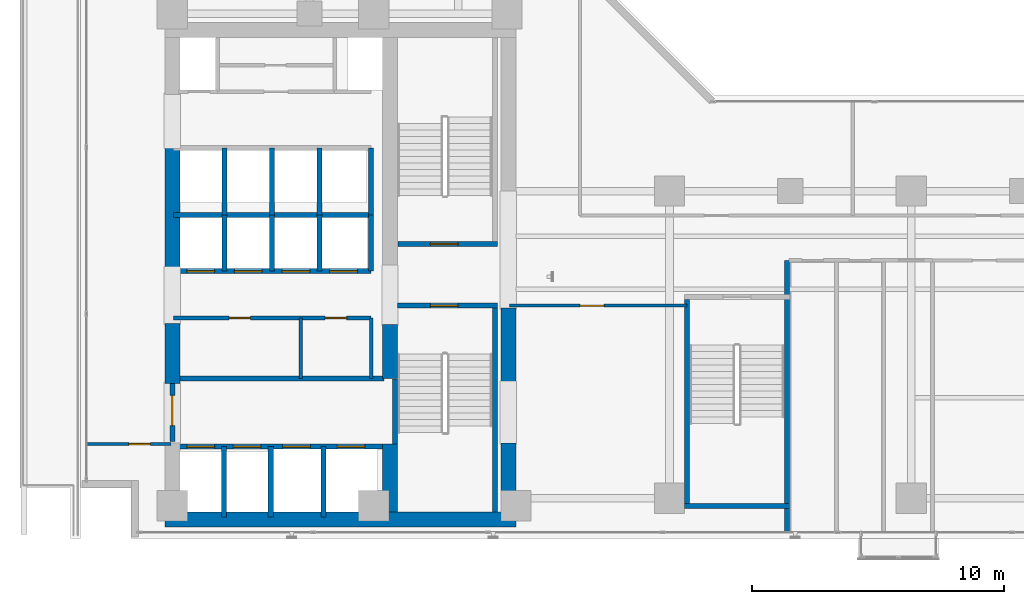
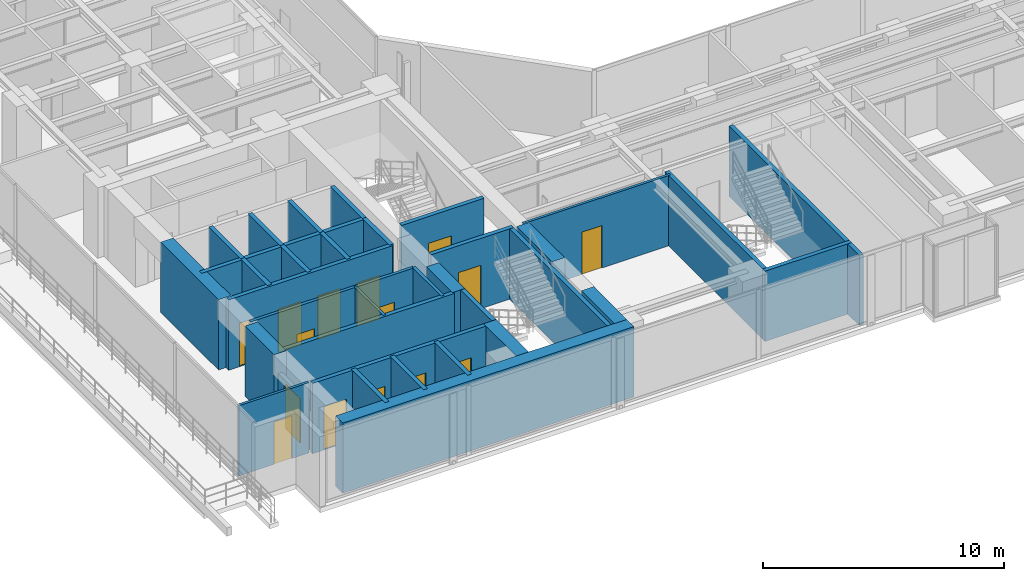
# One storey, part 20 of 28: 35 walls, 15 doors, 15 openings.
"""IFC4 building model written with IfcOpenShell, lengths in metres."""

from ifc_helpers import new_model, si_unit, direction, frame, frame_2d, origin, place, context, subcontext, project, spatial, rectangle, extrude, material, layer, layer_set, type_object, element, fill, save


model = new_model("IFC4")

# Units and contexts
model_context = context("Model", 3, precision=1e-05, world=origin(), true_north=direction((0.0, 1.0)))
body_context = subcontext(model_context, "Body", "Model", "MODEL_VIEW")
ifc_project = project(units=[si_unit("LENGTHUNIT", "METRE"), si_unit("AREAUNIT", "SQUARE_METRE"), si_unit("VOLUMEUNIT", "CUBIC_METRE"), si_unit("PLANEANGLEUNIT", "RADIAN"), si_unit("MASSUNIT", "GRAM", prefix="KILO")], contexts=[model_context])

# Site, building, storey
site_placement = place(None, origin())
site = spatial("IfcSite", under=ifc_project, at=site_placement, CompositionType="ELEMENT")
building_placement = place(site_placement, origin())
building = spatial("IfcBuilding", under=site, at=building_placement, Name="Kolvaren Waterfront Exchange", CompositionType="ELEMENT")
storey_placement = place(building_placement, frame((0.0, 0.0, 146.199951171875)))
storey = spatial("IfcBuildingStorey", under=building, at=storey_placement, Name="L37", CompositionType="ELEMENT", Elevation=146.199951171875)

# Wall, opening, door
ifc_material_1 = material(Name="Precast concrete C40/50", Category="concrete")
ifc_layer_1 = layer(ifc_material_1, 0.199951171875, Name="Precast concrete C40/50")
ifc_layer_set_1 = layer_set([ifc_layer_1], Name="Precast concrete C40/50")
wall_type_1 = type_object("IfcWallType", Name="ARC-FIRE-200", PredefinedType="PARTITIONING", material=ifc_layer_set_1)
wall_1_placement = place(storey_placement, frame((16.39990234375, 12.85009765625, 0.0), z_axis=(0.0, 0.0, 1.0), x_axis=(1.0, 0.0, 0.0)))
wall_1 = element("IfcWall", 1, at=wall_1_placement, inside=storey, type_object=wall_type_1, Name="L37 interior wall PW-L37-ST1-THROAT-S", PredefinedType="PARTITIONING", context=body_context, shape_type="SweptSolid", body=[
    extrude(rectangle(XDim=3.960205078125, YDim=0.199951171875, at=frame_2d((1.97998046875, 0.0))), origin(), (0.0, 0.0, 1.0), 3.56005859375),
])
opening_1_placement = place(wall_1_placement, frame((1.3037109375, 0.0, 0.0)))
opening_1 = element("IfcOpeningElement", 2, at=opening_1_placement, cuts=wall_1, Name="Opening FD2", PredefinedType="OPENING", context=body_context, shape_type="SweptSolid", body=[
    extrude(rectangle(XDim=1.10009765625, YDim=2.199951171875, at=frame_2d((0.550048828125, 1.10009765625))), frame((0.0, 0.10986328125, 0.0), z_axis=(0.0, -1.0, 0.0), x_axis=(1.0, 0.0, 0.0)), (0.0, 0.0, 1.0), 0.219970703125),
])
ifc_material_2 = material(Name="Pressed steel smoke-seal fire door", Category="steel")
door_type_1 = type_object("IfcDoorType", Name="ARC-FD-1100", OperationType="NOTDEFINED", PredefinedType="DOOR", material=ifc_material_2)
door_1_placement = place(opening_1_placement, frame((1.10009765625, 0.0, 0.0), z_axis=(0.0, 0.0, 1.0), x_axis=(-1.0, 0.0, 0.0)))
door_1 = element("IfcDoor", 3, at=door_1_placement, inside=storey, type_object=door_type_1, Name="L37 door DR-L37-ST1-IN (FD2)", OperationType="SINGLE_SWING_LEFT", OverallHeight=2.199951171875, OverallWidth=1.10009765625, PredefinedType="DOOR", context=body_context, shape_type="SweptSolid", body=[
    extrude(rectangle(XDim=1.10009765625, YDim=2.199951171875, at=frame_2d((0.550048828125, 1.10009765625))), frame((0.0, 0.02490234375, 0.0), z_axis=(0.0, -1.0, 0.0), x_axis=(1.0, 0.0, 0.0)), (0.0, 0.0, 1.0), 0.050048828125),
])
fill(opening_1, door_1)

wall_2_placement = place(storey_placement, frame((16.409912109375, 15.300048828125, 0.0), z_axis=(0.0, 0.0, 1.0), x_axis=(1.0, 0.0, 0.0)))
wall_2 = element("IfcWall", 4, at=wall_2_placement, inside=storey, type_object=wall_type_1, Name="L37 interior wall PW-L37-ST2-THROAT-N", PredefinedType="PARTITIONING", context=body_context, shape_type="SweptSolid", body=[
    extrude(rectangle(XDim=3.9501953125, YDim=0.199951171875, at=frame_2d((1.97509765625, 0.0))), origin(), (0.0, 0.0, 1.0), 3.56005859375),
])
opening_2_placement = place(wall_2_placement, frame((1.293701171875, 0.0, 0.0)))
opening_2 = element("IfcOpeningElement", 5, at=opening_2_placement, cuts=wall_2, Name="Opening FD2", PredefinedType="OPENING", context=body_context, shape_type="SweptSolid", body=[
    extrude(rectangle(XDim=1.10009765625, YDim=2.199951171875, at=frame_2d((0.550048828125, 1.10009765625))), frame((0.0, 0.10986328125, 0.0), z_axis=(0.0, -1.0, 0.0), x_axis=(1.0, 0.0, 0.0)), (0.0, 0.0, 1.0), 0.219970703125),
])
door_2_placement = place(opening_2_placement, origin())
door_2 = element("IfcDoor", 6, at=door_2_placement, inside=storey, type_object=door_type_1, Name="L37 door DR-L37-ST2-IN (FD2)", OperationType="SINGLE_SWING_RIGHT", OverallHeight=2.199951171875, OverallWidth=1.10009765625, PredefinedType="DOOR", context=body_context, shape_type="SweptSolid", body=[
    extrude(rectangle(XDim=1.10009765625, YDim=2.199951171875, at=frame_2d((0.550048828125, 1.10009765625))), frame((0.0, 0.02490234375, 0.0), z_axis=(0.0, -1.0, 0.0), x_axis=(1.0, 0.0, 0.0)), (0.0, 0.0, 1.0), 0.050048828125),
])
fill(opening_2, door_2)

# Wall
wall_3_placement = place(storey_placement, frame((7.5, 9.949951171875, 0.0), z_axis=(0.0, 0.0, 1.0), x_axis=(1.0, 0.0, 0.0)))
element("IfcWall", 7, at=wall_3_placement, inside=storey, type_object=wall_type_1, Name="L37 interior wall PW-L37-FF-N", PredefinedType="PARTITIONING", context=body_context, shape_type="SweptSolid", body=[
    extrude(rectangle(XDim=8.35009765625, YDim=0.199951171875, at=frame_2d((4.175048828125, 0.0))), origin(), (0.0, 0.0, 1.0), 3.56005859375),
])

# Wall, opening, door
wall_4_placement = place(storey_placement, frame((7.449951171875, 7.449951171875, 0.0), z_axis=(0.0, 0.0, 1.0), x_axis=(0.0, 1.0, 0.0)))
wall_4 = element("IfcWall", 8, at=wall_4_placement, inside=storey, type_object=wall_type_1, Name="L37 interior wall PW-L37-FF-W-DOOR", PredefinedType="PARTITIONING", context=body_context, shape_type="SweptSolid", body=[
    extrude(rectangle(XDim=2.300048828125, YDim=0.199951171875, at=frame_2d((1.14990234375, 0.0))), origin(), (0.0, 0.0, 1.0), 2.5400390625),
])
opening_3_placement = place(wall_4_placement, frame((0.63330078125, 0.0, 0.0)))
opening_3 = element("IfcOpeningElement", 9, at=opening_3_placement, cuts=wall_4, Name="Opening FD3", PredefinedType="OPENING", context=body_context, shape_type="SweptSolid", body=[
    extrude(rectangle(XDim=1.199951171875, YDim=2.25, at=frame_2d((0.60009765625, 1.125))), frame((0.0, 0.10986328125, 0.0), z_axis=(0.0, -1.0, 0.0), x_axis=(1.0, 0.0, 0.0)), (0.0, 0.0, 1.0), 0.219970703125),
])
ifc_material_3 = material(Name="Pressed steel fire door", Category="steel")
door_type_2 = type_object("IfcDoorType", Name="ARC-FD-1200", OperationType="NOTDEFINED", PredefinedType="DOOR", material=ifc_material_3)
door_3_placement = place(opening_3_placement, frame((1.199951171875, 0.0, 0.0), z_axis=(0.0, 0.0, 1.0), x_axis=(-1.0, 0.0, 0.0)))
door_3 = element("IfcDoor", 10, at=door_3_placement, inside=storey, type_object=door_type_2, Name="L37 door DR-L37-FF-OUT (FD3)", OperationType="SINGLE_SWING_RIGHT", OverallHeight=2.25, OverallWidth=1.199951171875, PredefinedType="DOOR", context=body_context, shape_type="SweptSolid", body=[
    extrude(rectangle(XDim=1.199951171875, YDim=2.25, at=frame_2d((0.60009765625, 1.125))), frame((0.0, 0.02490234375, 0.0), z_axis=(0.0, -1.0, 0.0), x_axis=(1.0, 0.0, 0.0)), (0.0, 0.0, 1.0), 0.050048828125),
])
fill(opening_3, door_3)

# Wall
ifc_material_4 = material(Name="Acoustic gypsum steel stud", Category="steel")
ifc_layer_2 = layer(ifc_material_4, 0.125, Name="Acoustic gypsum steel stud")
ifc_layer_set_2 = layer_set([ifc_layer_2], Name="Acoustic gypsum steel stud")
wall_type_2 = type_object("IfcWallType", Name="ARC-PART-125", PredefinedType="PARTITIONING", material=ifc_layer_set_2)
wall_5_placement = place(storey_placement, frame((12.550048828125, 9.949951171875, 0.0), z_axis=(0.0, 0.0, 1.0), x_axis=(0.0, 1.0, 0.0)))
element("IfcWall", 11, at=wall_5_placement, inside=storey, type_object=wall_type_2, Name="L37 interior wall PW-L37-REC-PL-MID", PredefinedType="PARTITIONING", context=body_context, shape_type="SweptSolid", body=[
    extrude(rectangle(XDim=2.41015625, YDim=0.125, at=frame_2d((1.205078125, 0.0))), origin(), (0.0, 0.0, 1.0), 3.56005859375),
])

# Wall, opening, door
wall_6_placement = place(storey_placement, frame((4.0400390625, 7.35009765625, 0.0), z_axis=(0.0, 0.0, 1.0), x_axis=(1.0, 0.0, 0.0)))
wall_6 = element("IfcWall", 12, at=wall_6_placement, inside=storey, type_object=wall_type_2, Name="L37 interior wall PW-L37-SWC-N", PredefinedType="PARTITIONING", context=body_context, shape_type="SweptSolid", body=[
    extrude(rectangle(XDim=3.35986328125, YDim=0.125, at=frame_2d((1.679931640625, 0.0))), origin(), (0.0, 0.0, 1.0), 3.56005859375),
])
opening_4_placement = place(wall_6_placement, frame((1.686767578125, 0.0, 0.0)))
opening_4 = element("IfcOpeningElement", 13, at=opening_4_placement, cuts=wall_6, Name="Opening D01", PredefinedType="OPENING", context=body_context, shape_type="SweptSolid", body=[
    extrude(rectangle(XDim=0.85009765625, YDim=2.14990234375, at=frame_2d((0.425048828125, 1.074951171875))), frame((0.0, 0.072509765625, 0.0), z_axis=(0.0, -1.0, 0.0), x_axis=(1.0, 0.0, 0.0)), (0.0, 0.0, 1.0), 0.14501953125),
])
ifc_material_5 = material(Name="Oak veneer timber leaf", Category="wood")
door_type_3 = type_object("IfcDoorType", Name="ARC-DR-900", OperationType="NOTDEFINED", PredefinedType="DOOR", material=ifc_material_5)
door_4_placement = place(opening_4_placement, origin())
door_4 = element("IfcDoor", 14, at=door_4_placement, inside=storey, type_object=door_type_3, Name="L37 door DR-L37-SWC-D (D01)", OperationType="SINGLE_SWING_RIGHT", OverallHeight=2.14990234375, OverallWidth=0.85009765625, PredefinedType="DOOR", context=body_context, shape_type="SweptSolid", body=[
    extrude(rectangle(XDim=0.85009765625, YDim=2.14990234375, at=frame_2d((0.425048828125, 1.074951171875))), frame((0.0, 0.02490234375, 0.0), z_axis=(0.0, -1.0, 0.0), x_axis=(1.0, 0.0, 0.0)), (0.0, 0.0, 1.0), 0.050048828125),
])
fill(opening_4, door_4)

wall_7_placement = place(storey_placement, frame((20.85009765625, 12.85009765625, 0.0), z_axis=(0.0, 0.0, 1.0), x_axis=(1.0, 0.0, 0.0)))
wall_7 = element("IfcWall", 15, at=wall_7_placement, inside=storey, type_object=wall_type_2, Name="L37 interior wall PW-L37-SWST3-N", PredefinedType="PARTITIONING", context=body_context, shape_type="SweptSolid", body=[
    extrude(rectangle(XDim=7.0498046875, YDim=0.125, at=frame_2d((3.52490234375, 0.0))), origin(), (0.0, 0.0, 1.0), 3.56005859375),
])
opening_5_placement = place(wall_7_placement, frame((2.800048828125, 0.0, 0.0)))
opening_5 = element("IfcOpeningElement", 16, at=opening_5_placement, cuts=wall_7, Name="Opening D02", PredefinedType="OPENING", context=body_context, shape_type="SweptSolid", body=[
    extrude(rectangle(XDim=0.949951171875, YDim=2.14990234375, at=frame_2d((0.47509765625, 1.074951171875))), frame((0.0, 0.072509765625, 0.0), z_axis=(0.0, -1.0, 0.0), x_axis=(1.0, 0.0, 0.0)), (0.0, 0.0, 1.0), 0.14501953125),
])
ifc_material_6 = material(Name="Oak veneer acoustic timber", Category="wood")
door_type_4 = type_object("IfcDoorType", Name="ARC-DR-950", OperationType="NOTDEFINED", PredefinedType="DOOR", material=ifc_material_6)
door_5_placement = place(opening_5_placement, origin())
door_5 = element("IfcDoor", 17, at=door_5_placement, inside=storey, type_object=door_type_4, Name="L37 door DR-L37-SWST3-D (D02)", OperationType="SINGLE_SWING_LEFT", OverallHeight=2.14990234375, OverallWidth=0.949951171875, PredefinedType="DOOR", context=body_context, shape_type="SweptSolid", body=[
    extrude(rectangle(XDim=0.949951171875, YDim=2.14990234375, at=frame_2d((0.47509765625, 1.074951171875))), frame((0.0, 0.02490234375, 0.0), z_axis=(0.0, -1.0, 0.0), x_axis=(1.0, 0.0, 0.0)), (0.0, 0.0, 1.0), 0.050048828125),
])
fill(opening_5, door_5)

# Wall, openings, doors
ifc_material_7 = material(Name="Gypsum fireboard steel stud", Category="steel")
ifc_layer_3 = layer(ifc_material_7, 0.14990234375, Name="Gypsum fireboard steel stud")
ifc_layer_set_3 = layer_set([ifc_layer_3], Name="Gypsum fireboard steel stud")
wall_type_3 = type_object("IfcWallType", Name="ARC-PART-150", PredefinedType="PARTITIONING", material=ifc_layer_set_3)
wall_8_placement = place(storey_placement, frame((7.5, 12.360107421875, 0.0), z_axis=(0.0, 0.0, 1.0), x_axis=(1.0, 0.0, 0.0)))
wall_8 = element("IfcWall", 18, at=wall_8_placement, inside=storey, type_object=wall_type_3, Name="L37 interior wall PW-L37-REC-PL-N", PredefinedType="PARTITIONING", context=body_context, shape_type="SweptSolid", body=[
    extrude(rectangle(XDim=7.85009765625, YDim=0.14990234375, at=frame_2d((3.925048828125, 0.0))), origin(), (0.0, 0.0, 1.0), 3.56005859375),
])
opening_6_placement = place(wall_8_placement, frame((2.202392578125, 0.0, 0.0)))
opening_6 = element("IfcOpeningElement", 19, at=opening_6_placement, cuts=wall_8, Name="Opening D01", PredefinedType="OPENING", context=body_context, shape_type="SweptSolid", body=[
    extrude(rectangle(XDim=0.85009765625, YDim=2.14990234375, at=frame_2d((0.425048828125, 1.074951171875))), frame((0.0, 0.0849609375, 0.0), z_axis=(0.0, -1.0, 0.0), x_axis=(1.0, 0.0, 0.0)), (0.0, 0.0, 1.0), 0.169921875),
])
opening_7_placement = place(wall_8_placement, frame((6.02490234375, 0.0, 0.0)))
opening_7 = element("IfcOpeningElement", 20, at=opening_7_placement, cuts=wall_8, Name="Opening D01", PredefinedType="OPENING", context=body_context, shape_type="SweptSolid", body=[
    extrude(rectangle(XDim=0.85009765625, YDim=2.14990234375, at=frame_2d((0.425048828125, 1.074951171875))), frame((0.0, 0.0849609375, 0.0), z_axis=(0.0, -1.0, 0.0), x_axis=(1.0, 0.0, 0.0)), (0.0, 0.0, 1.0), 0.169921875),
])
door_6_placement = place(opening_6_placement, origin())
door_6 = element("IfcDoor", 21, at=door_6_placement, inside=storey, type_object=door_type_3, Name="L37 door DR-L37-REC-PL-D1 (D01)", OperationType="SINGLE_SWING_LEFT", OverallHeight=2.14990234375, OverallWidth=0.85009765625, PredefinedType="DOOR", context=body_context, shape_type="SweptSolid", body=[
    extrude(rectangle(XDim=0.85009765625, YDim=2.14990234375, at=frame_2d((0.425048828125, 1.074951171875))), frame((0.0, 0.02490234375, 0.0), z_axis=(0.0, -1.0, 0.0), x_axis=(1.0, 0.0, 0.0)), (0.0, 0.0, 1.0), 0.050048828125),
])
fill(opening_6, door_6)
door_7_placement = place(opening_7_placement, origin())
door_7 = element("IfcDoor", 22, at=door_7_placement, inside=storey, type_object=door_type_3, Name="L37 door DR-L37-REC-PL-D2 (D01)", OperationType="SINGLE_SWING_RIGHT", OverallHeight=2.14990234375, OverallWidth=0.85009765625, PredefinedType="DOOR", context=body_context, shape_type="SweptSolid", body=[
    extrude(rectangle(XDim=0.85009765625, YDim=2.14990234375, at=frame_2d((0.425048828125, 1.074951171875))), frame((0.0, 0.02490234375, 0.0), z_axis=(0.0, -1.0, 0.0), x_axis=(1.0, 0.0, 0.0)), (0.0, 0.0, 1.0), 0.050048828125),
])
fill(opening_7, door_7)

# Walls
wall_9_placement = place(storey_placement, frame((15.35009765625, 9.949951171875, 0.0), z_axis=(0.0, 0.0, 1.0), x_axis=(0.0, 1.0, 0.0)))
element("IfcWall", 23, at=wall_9_placement, inside=storey, type_object=wall_type_3, Name="L37 interior wall PW-L37-REC-PL-E", PredefinedType="PARTITIONING", context=body_context, shape_type="SweptSolid", body=[
    extrude(rectangle(XDim=2.41015625, YDim=0.14990234375, at=frame_2d((1.205078125, 0.0))), origin(), (0.0, 0.0, 1.0), 3.56005859375),
])
ifc_material_8 = material(Name="Concrete C40/50", Category="concrete")
ifc_layer_4 = layer(ifc_material_8, 0.199951171875, Name="Concrete C40/50")
ifc_layer_set_4 = layer_set([ifc_layer_4], Name="Concrete C40/50")
wall_type_4 = type_object("IfcWallType", Name="ARC-SHAFT-200", PredefinedType="PARTITIONING", material=ifc_layer_set_4)
wall_10_placement = place(storey_placement, frame((16.300048828125, 7.360107421875, 0.0), z_axis=(0.0, 0.0, 1.0), x_axis=(0.0, 1.0, 0.0)))
element("IfcWall", 24, at=wall_10_placement, inside=storey, type_object=wall_type_4, Name="L37 structural stairwell wall PW-L37-ST1-W", PredefinedType="SHEAR", context=body_context, shape_type="SweptSolid", body=[
    extrude(rectangle(XDim=2.579833984375, YDim=0.199951171875, at=frame_2d((1.2900390625, 0.0))), origin(), (0.0, 0.0, 1.0), 3.56005859375),
])
wall_11_placement = place(storey_placement, frame((20.260009765625, 4.659912109375, 0.0), z_axis=(0.0, 0.0, 1.0), x_axis=(0.0, 1.0, 0.0)))
element("IfcWall", 25, at=wall_11_placement, inside=storey, type_object=wall_type_4, Name="L37 structural stairwell wall PW-L37-ST1-E", PredefinedType="SHEAR", context=body_context, shape_type="SweptSolid", body=[
    extrude(rectangle(XDim=8.090087890625, YDim=0.199951171875, at=frame_2d((4.044921875, 0.0))), origin(), (0.0, 0.0, 1.0), 3.56005859375),
])
wall_12_placement = place(storey_placement, frame((27.89990234375, 5.0, 0.0), z_axis=(0.0, 0.0, 1.0), x_axis=(0.0, 1.0, 0.0)))
element("IfcWall", 26, at=wall_12_placement, inside=storey, type_object=wall_type_4, Name="L37 structural stairwell wall PW-L37-ST3-W", PredefinedType="SHEAR", context=body_context, shape_type="SweptSolid", body=[
    extrude(rectangle(XDim=8.10009765625, YDim=0.199951171875, at=frame_2d((4.050048828125, 0.0))), origin(), (0.0, 0.0, 1.0), 3.56005859375),
])
wall_13_placement = place(storey_placement, frame((31.860107421875, 3.840087890625, 0.0), z_axis=(0.0, 0.0, 1.0), x_axis=(0.0, 1.0, 0.0)))
element("IfcWall", 27, at=wall_13_placement, inside=storey, type_object=wall_type_4, Name="L37 structural stairwell wall PW-L37-ST3-E", PredefinedType="SHEAR", context=body_context, shape_type="SweptSolid", body=[
    extrude(rectangle(XDim=10.809814453125, YDim=0.199951171875, at=frame_2d((5.40478515625, 0.0))), origin(), (0.0, 0.0, 1.0), 3.56005859375),
])
wall_14_placement = place(storey_placement, frame((27.800048828125, 4.89990234375, 0.0), z_axis=(0.0, 0.0, 1.0), x_axis=(1.0, 0.0, 0.0)))
element("IfcWall", 28, at=wall_14_placement, inside=storey, type_object=wall_type_4, Name="L37 structural stairwell wall PW-L37-ST3-S", PredefinedType="SHEAR", context=body_context, shape_type="SweptSolid", body=[
    extrude(rectangle(XDim=4.159912109375, YDim=0.199951171875, at=frame_2d((2.080078125, 0.0))), origin(), (0.0, 0.0, 1.0), 3.56005859375),
])

# Wall, openings, doors
wall_15_placement = place(storey_placement, frame((7.5, 7.25, 0.0), z_axis=(0.0, 0.0, 1.0), x_axis=(1.0, 0.0, 0.0)))
wall_15 = element("IfcWall", 29, at=wall_15_placement, inside=storey, type_object=wall_type_4, Name="L37 interior wall PW-L37-FF-S", PredefinedType="PARTITIONING", context=body_context, shape_type="SweptSolid", body=[
    extrude(rectangle(XDim=8.35009765625, YDim=0.199951171875, at=frame_2d((4.175048828125, 0.0))), origin(), (0.0, 0.0, 1.0), 3.56005859375),
])
opening_8_placement = place(wall_15_placement, frame((0.530029296875, 0.0, 0.0)))
opening_8 = element("IfcOpeningElement", 30, at=opening_8_placement, cuts=wall_15, Name="Opening LD1", PredefinedType="OPENING", context=body_context, shape_type="SweptSolid", body=[
    extrude(rectangle(XDim=1.10009765625, YDim=2.199951171875, at=frame_2d((0.550048828125, 1.10009765625))), frame((0.0, 0.10986328125, 0.0), z_axis=(0.0, -1.0, 0.0), x_axis=(1.0, 0.0, 0.0)), (0.0, 0.0, 1.0), 0.219970703125),
])
opening_9_placement = place(wall_15_placement, frame((2.3701171875, 0.0, 0.0)))
opening_9 = element("IfcOpeningElement", 31, at=opening_9_placement, cuts=wall_15, Name="Opening LD1", PredefinedType="OPENING", context=body_context, shape_type="SweptSolid", body=[
    extrude(rectangle(XDim=1.10009765625, YDim=2.199951171875, at=frame_2d((0.550048828125, 1.10009765625))), frame((0.0, 0.10986328125, 0.0), z_axis=(0.0, -1.0, 0.0), x_axis=(1.0, 0.0, 0.0)), (0.0, 0.0, 1.0), 0.219970703125),
])
opening_10_placement = place(wall_15_placement, frame((4.330078125, 0.0, 0.0)))
opening_10 = element("IfcOpeningElement", 32, at=opening_10_placement, cuts=wall_15, Name="Opening LD1", PredefinedType="OPENING", context=body_context, shape_type="SweptSolid", body=[
    extrude(rectangle(XDim=1.10009765625, YDim=2.199951171875, at=frame_2d((0.550048828125, 1.10009765625))), frame((0.0, 0.10986328125, 0.0), z_axis=(0.0, -1.0, 0.0), x_axis=(1.0, 0.0, 0.0)), (0.0, 0.0, 1.0), 0.219970703125),
])
opening_11_placement = place(wall_15_placement, frame((6.5, 0.0, 0.0)))
opening_11 = element("IfcOpeningElement", 33, at=opening_11_placement, cuts=wall_15, Name="Opening LD1", PredefinedType="OPENING", context=body_context, shape_type="SweptSolid", body=[
    extrude(rectangle(XDim=1.10009765625, YDim=2.199951171875, at=frame_2d((0.550048828125, 1.10009765625))), frame((0.0, 0.10986328125, 0.0), z_axis=(0.0, -1.0, 0.0), x_axis=(1.0, 0.0, 0.0)), (0.0, 0.0, 1.0), 0.219970703125),
])
ifc_material_9 = material(Name="Stainless steel sliding landing door", Category="steel")
door_type_5 = type_object("IfcDoorType", Name="ARC-LD-FF", OperationType="SLIDING_TO_LEFT", PredefinedType="DOOR", material=ifc_material_9)
door_8_placement = place(opening_8_placement, origin())
door_8 = element("IfcDoor", 34, at=door_8_placement, inside=storey, type_object=door_type_5, Name="L37 door LD-L37-FFL1 (LD1)", OperationType="SLIDING_TO_LEFT", OverallHeight=2.199951171875, OverallWidth=1.10009765625, PredefinedType="DOOR", context=body_context, shape_type="SweptSolid", body=[
    extrude(rectangle(XDim=1.10009765625, YDim=2.199951171875, at=frame_2d((0.550048828125, 1.10009765625))), frame((0.0, 0.02490234375, 0.0), z_axis=(0.0, -1.0, 0.0), x_axis=(1.0, 0.0, 0.0)), (0.0, 0.0, 1.0), 0.050048828125),
])
fill(opening_8, door_8)
door_9_placement = place(opening_9_placement, origin())
door_9 = element("IfcDoor", 35, at=door_9_placement, inside=storey, type_object=door_type_5, Name="L37 door LD-L37-FFL2 (LD1)", OperationType="SLIDING_TO_LEFT", OverallHeight=2.199951171875, OverallWidth=1.10009765625, PredefinedType="DOOR", context=body_context, shape_type="SweptSolid", body=[
    extrude(rectangle(XDim=1.10009765625, YDim=2.199951171875, at=frame_2d((0.550048828125, 1.10009765625))), frame((0.0, 0.02490234375, 0.0), z_axis=(0.0, -1.0, 0.0), x_axis=(1.0, 0.0, 0.0)), (0.0, 0.0, 1.0), 0.050048828125),
])
fill(opening_9, door_9)
door_10_placement = place(opening_10_placement, origin())
door_10 = element("IfcDoor", 36, at=door_10_placement, inside=storey, type_object=door_type_5, Name="L37 door LD-L37-GL1 (LD1)", OperationType="SLIDING_TO_LEFT", OverallHeight=2.199951171875, OverallWidth=1.10009765625, PredefinedType="DOOR", context=body_context, shape_type="SweptSolid", body=[
    extrude(rectangle(XDim=1.10009765625, YDim=2.199951171875, at=frame_2d((0.550048828125, 1.10009765625))), frame((0.0, 0.02490234375, 0.0), z_axis=(0.0, -1.0, 0.0), x_axis=(1.0, 0.0, 0.0)), (0.0, 0.0, 1.0), 0.050048828125),
])
fill(opening_10, door_10)
door_11_placement = place(opening_11_placement, origin())
door_11 = element("IfcDoor", 37, at=door_11_placement, inside=storey, type_object=door_type_5, Name="L37 door LD-L37-GL2 (LD1)", OperationType="SLIDING_TO_LEFT", OverallHeight=2.199951171875, OverallWidth=1.10009765625, PredefinedType="DOOR", context=body_context, shape_type="SweptSolid", body=[
    extrude(rectangle(XDim=1.10009765625, YDim=2.199951171875, at=frame_2d((0.550048828125, 1.10009765625))), frame((0.0, 0.02490234375, 0.0), z_axis=(0.0, -1.0, 0.0), x_axis=(1.0, 0.0, 0.0)), (0.0, 0.0, 1.0), 0.050048828125),
])
fill(opening_11, door_11)

# Walls
for number, where, z_axis, x_axis, name in (
    (38, (9.5, 4.449951171875, 0.0), (0.0, 0.0, 1.0), (0.0, 1.0, 0.0), "L37 interior wall PW-L37-SH1-DIV-95"),
    (39, (11.360107421875, 4.449951171875, 0.0), (0.0, 0.0, 1.0), (0.0, 1.0, 0.0), "L37 interior wall PW-L37-SH1-DIV-113"),
    (40, (13.4599609375, 4.449951171875, 0.0), (0.0, 0.0, 1.0), (0.0, 1.0, 0.0), "L37 interior wall PW-L37-SH1-DIV-134"),
):
    element("IfcWall", number, at=place(storey_placement, frame(where, z_axis=z_axis, x_axis=x_axis)), inside=storey, type_object=wall_type_4, Name=name, PredefinedType="PARTITIONING", context=body_context, shape_type="SweptSolid", body=[
        extrude(rectangle(XDim=2.800048828125, YDim=0.199951171875, at=frame_2d((1.39990234375, 0.0))), origin(), (0.0, 0.0, 1.0), 3.56005859375),
    ])

# Wall, openings, doors
wall_16_placement = place(storey_placement, frame((7.5, 14.219970703125, 0.0), z_axis=(0.0, 0.0, 1.0), x_axis=(1.0, 0.0, 0.0)))
wall_16 = element("IfcWall", 41, at=wall_16_placement, inside=storey, type_object=wall_type_4, Name="L37 interior wall PW-L37-PM-S", PredefinedType="PARTITIONING", context=body_context, shape_type="SweptSolid", body=[
    extrude(rectangle(XDim=7.85009765625, YDim=0.199951171875, at=frame_2d((3.925048828125, 0.0))), origin(), (0.0, 0.0, 1.0), 3.56005859375),
])
opening_12_placement = place(wall_16_placement, frame((0.530029296875, 0.0, 0.0)))
opening_12 = element("IfcOpeningElement", 42, at=opening_12_placement, cuts=wall_16, Name="Opening LD2", PredefinedType="OPENING", context=body_context, shape_type="SweptSolid", body=[
    extrude(rectangle(XDim=1.10009765625, YDim=2.199951171875, at=frame_2d((0.550048828125, 1.10009765625))), frame((0.0, 0.10986328125, 0.0), z_axis=(0.0, -1.0, 0.0), x_axis=(1.0, 0.0, 0.0)), (0.0, 0.0, 1.0), 0.219970703125),
])
opening_13_placement = place(wall_16_placement, frame((2.419921875, 0.0, 0.0)))
opening_13 = element("IfcOpeningElement", 43, at=opening_13_placement, cuts=wall_16, Name="Opening LD2", PredefinedType="OPENING", context=body_context, shape_type="SweptSolid", body=[
    extrude(rectangle(XDim=1.10009765625, YDim=2.199951171875, at=frame_2d((0.550048828125, 1.10009765625))), frame((0.0, 0.10986328125, 0.0), z_axis=(0.0, -1.0, 0.0), x_axis=(1.0, 0.0, 0.0)), (0.0, 0.0, 1.0), 0.219970703125),
])
opening_14_placement = place(wall_16_placement, frame((4.31005859375, 0.0, 0.0)))
opening_14 = element("IfcOpeningElement", 44, at=opening_14_placement, cuts=wall_16, Name="Opening LD2", PredefinedType="OPENING", context=body_context, shape_type="SweptSolid", body=[
    extrude(rectangle(XDim=1.10009765625, YDim=2.199951171875, at=frame_2d((0.550048828125, 1.10009765625))), frame((0.0, 0.10986328125, 0.0), z_axis=(0.0, -1.0, 0.0), x_axis=(1.0, 0.0, 0.0)), (0.0, 0.0, 1.0), 0.219970703125),
])
opening_15_placement = place(wall_16_placement, frame((6.199951171875, 0.0, 0.0)))
opening_15 = element("IfcOpeningElement", 45, at=opening_15_placement, cuts=wall_16, Name="Opening LD2", PredefinedType="OPENING", context=body_context, shape_type="SweptSolid", body=[
    extrude(rectangle(XDim=1.10009765625, YDim=2.199951171875, at=frame_2d((0.550048828125, 1.10009765625))), frame((0.0, 0.10986328125, 0.0), z_axis=(0.0, -1.0, 0.0), x_axis=(1.0, 0.0, 0.0)), (0.0, 0.0, 1.0), 0.219970703125),
])
ifc_material_10 = material(Name="Brushed bronze sliding landing door", Category="aluminium")
door_type_6 = type_object("IfcDoorType", Name="ARC-LD-PAX", OperationType="SLIDING_TO_LEFT", PredefinedType="DOOR", material=ifc_material_10)
door_12_placement = place(opening_12_placement, frame((1.10009765625, 0.0, 0.0), z_axis=(0.0, 0.0, 1.0), x_axis=(-1.0, 0.0, 0.0)))
door_12 = element("IfcDoor", 46, at=door_12_placement, inside=storey, type_object=door_type_6, Name="L37 door LD-L37-PM1 (LD2)", OperationType="SLIDING_TO_LEFT", OverallHeight=2.199951171875, OverallWidth=1.10009765625, PredefinedType="DOOR", context=body_context, shape_type="SweptSolid", body=[
    extrude(rectangle(XDim=1.10009765625, YDim=2.199951171875, at=frame_2d((0.550048828125, 1.10009765625))), frame((0.0, 0.02490234375, 0.0), z_axis=(0.0, -1.0, 0.0), x_axis=(1.0, 0.0, 0.0)), (0.0, 0.0, 1.0), 0.050048828125),
])
fill(opening_12, door_12)
door_13_placement = place(opening_13_placement, frame((1.10009765625, 0.0, 0.0), z_axis=(0.0, 0.0, 1.0), x_axis=(-1.0, 0.0, 0.0)))
door_13 = element("IfcDoor", 47, at=door_13_placement, inside=storey, type_object=door_type_6, Name="L37 door LD-L37-PM2 (LD2)", OperationType="SLIDING_TO_LEFT", OverallHeight=2.199951171875, OverallWidth=1.10009765625, PredefinedType="DOOR", context=body_context, shape_type="SweptSolid", body=[
    extrude(rectangle(XDim=1.10009765625, YDim=2.199951171875, at=frame_2d((0.550048828125, 1.10009765625))), frame((0.0, 0.02490234375, 0.0), z_axis=(0.0, -1.0, 0.0), x_axis=(1.0, 0.0, 0.0)), (0.0, 0.0, 1.0), 0.050048828125),
])
fill(opening_13, door_13)
door_14_placement = place(opening_14_placement, frame((1.10009765625, 0.0, 0.0), z_axis=(0.0, 0.0, 1.0), x_axis=(-1.0, 0.0, 0.0)))
door_14 = element("IfcDoor", 48, at=door_14_placement, inside=storey, type_object=door_type_6, Name="L37 door LD-L37-PM3 (LD2)", OperationType="SLIDING_TO_LEFT", OverallHeight=2.199951171875, OverallWidth=1.10009765625, PredefinedType="DOOR", context=body_context, shape_type="SweptSolid", body=[
    extrude(rectangle(XDim=1.10009765625, YDim=2.199951171875, at=frame_2d((0.550048828125, 1.10009765625))), frame((0.0, 0.02490234375, 0.0), z_axis=(0.0, -1.0, 0.0), x_axis=(1.0, 0.0, 0.0)), (0.0, 0.0, 1.0), 0.050048828125),
])
fill(opening_14, door_14)
door_15_placement = place(opening_15_placement, frame((1.10009765625, 0.0, 0.0), z_axis=(0.0, 0.0, 1.0), x_axis=(-1.0, 0.0, 0.0)))
door_15 = element("IfcDoor", 49, at=door_15_placement, inside=storey, type_object=door_type_6, Name="L37 door LD-L37-PM4 (LD2)", OperationType="SLIDING_TO_LEFT", OverallHeight=2.199951171875, OverallWidth=1.10009765625, PredefinedType="DOOR", context=body_context, shape_type="SweptSolid", body=[
    extrude(rectangle(XDim=1.10009765625, YDim=2.199951171875, at=frame_2d((0.550048828125, 1.10009765625))), frame((0.0, 0.02490234375, 0.0), z_axis=(0.0, -1.0, 0.0), x_axis=(1.0, 0.0, 0.0)), (0.0, 0.0, 1.0), 0.050048828125),
])
fill(opening_15, door_15)

# Walls
wall_17_placement = place(storey_placement, frame((7.5, 16.449951171875, 0.0), z_axis=(0.0, 0.0, 1.0), x_axis=(1.0, 0.0, 0.0)))
element("IfcWall", 50, at=wall_17_placement, inside=storey, type_object=wall_type_4, Name="L37 interior wall PW-L37-PM-N", PredefinedType="PARTITIONING", context=body_context, shape_type="SweptSolid", body=[
    extrude(rectangle(XDim=7.85009765625, YDim=0.199951171875, at=frame_2d((3.925048828125, 0.0))), origin(), (0.0, 0.0, 1.0), 3.56005859375),
])
for number, where, z_axis, x_axis, name in (
    (51, (15.35009765625, 14.219970703125, 0.0), (0.0, 0.0, 1.0), (0.0, 1.0, 0.0), "L37 interior wall PW-L37-PM-E"),
    (52, (9.52001953125, 14.219970703125, 0.0), (0.0, 0.0, 1.0), (0.0, 1.0, 0.0), "L37 interior wall PW-L37-SH3-DIV-95"),
    (53, (11.409912109375, 14.219970703125, 0.0), (0.0, 0.0, 1.0), (0.0, 1.0, 0.0), "L37 interior wall PW-L37-SH3-DIV-114"),
    (54, (13.300048828125, 14.219970703125, 0.0), (0.0, 0.0, 1.0), (0.0, 1.0, 0.0), "L37 interior wall PW-L37-SH3-DIV-133"),
):
    element("IfcWall", number, at=place(storey_placement, frame(where, z_axis=z_axis, x_axis=x_axis)), inside=storey, type_object=wall_type_4, Name=name, PredefinedType="PARTITIONING", context=body_context, shape_type="SweptSolid", body=[
        extrude(rectangle(XDim=2.22998046875, YDim=0.199951171875, at=frame_2d((1.114990234375, 0.0))), origin(), (0.0, 0.0, 1.0), 3.56005859375),
    ])
for number, where, z_axis, x_axis, name in (
    (55, (15.35009765625, 16.449951171875, 0.0), (0.0, 0.0, 1.0), (0.0, 1.0, 0.0), "L37 interior wall PW-L37-PH-E"),
    (56, (9.52001953125, 16.449951171875, 0.0), (0.0, 0.0, 1.0), (0.0, 1.0, 0.0), "L37 interior wall PW-L37-SH4-DIV-95"),
    (57, (11.409912109375, 16.449951171875, 0.0), (0.0, 0.0, 1.0), (0.0, 1.0, 0.0), "L37 interior wall PW-L37-SH4-DIV-114"),
    (58, (13.300048828125, 16.449951171875, 0.0), (0.0, 0.0, 1.0), (0.0, 1.0, 0.0), "L37 interior wall PW-L37-SH4-DIV-133"),
):
    element("IfcWall", number, at=place(storey_placement, frame(where, z_axis=z_axis, x_axis=x_axis)), inside=storey, type_object=wall_type_4, Name=name, PredefinedType="PARTITIONING", context=body_context, shape_type="SweptSolid", body=[
        extrude(rectangle(XDim=2.670166015625, YDim=0.199951171875, at=frame_2d((1.3349609375, 0.0))), origin(), (0.0, 0.0, 1.0), 3.56005859375),
    ])
ifc_material_11 = material(Name="Concrete C60/75", Category="concrete")
ifc_layer_5 = layer(ifc_material_11, 0.60009765625, Name="Concrete C60/75")
ifc_layer_set_5 = layer_set([ifc_layer_5], Name="Concrete C60/75")
wall_type_5 = type_object("IfcWallType", Name="STR-CWALL-600", PredefinedType="SHEAR", material=ifc_layer_set_5)
wall_18_placement = place(storey_placement, frame((7.14990234375, 4.35009765625, 0.0), z_axis=(0.0, 0.0, 1.0), x_axis=(1.0, 0.0, 0.0)))
element("IfcWall", 59, at=wall_18_placement, inside=storey, type_object=wall_type_5, Name="L37 rear-core shear wall S", PredefinedType="SHEAR", context=body_context, shape_type="SweptSolid", body=[
    extrude(rectangle(XDim=13.9501953125, YDim=0.60009765625, at=frame_2d((6.97509765625, 0.0))), origin(), (0.0, 0.0, 1.0), 3.56005859375),
])
wall_19_placement = place(storey_placement, frame((7.449951171875, 9.75, 0.0), z_axis=(0.0, 0.0, 1.0), x_axis=(0.0, 1.0, 0.0)))
element("IfcWall", 60, at=wall_19_placement, inside=storey, type_object=wall_type_5, Name="L37 rear-core shear wall W2A", PredefinedType="SHEAR", context=body_context, shape_type="SweptSolid", body=[
    extrude(rectangle(XDim=2.39990234375, YDim=0.60009765625, at=frame_2d((1.199951171875, 0.0))), origin(), (0.0, 0.0, 1.0), 3.56005859375),
])
wall_20_placement = place(storey_placement, frame((7.449951171875, 14.35009765625, 0.0), z_axis=(0.0, 0.0, 1.0), x_axis=(0.0, 1.0, 0.0)))
element("IfcWall", 61, at=wall_20_placement, inside=storey, type_object=wall_type_5, Name="L37 rear-core shear wall W2B", PredefinedType="SHEAR", context=body_context, shape_type="SweptSolid", body=[
    extrude(rectangle(XDim=4.809814453125, YDim=0.60009765625, at=frame_2d((2.40478515625, 0.0))), origin(), (0.0, 0.0, 1.0), 3.56005859375),
])
wall_21_placement = place(storey_placement, frame((20.800048828125, 4.64990234375, 0.0), z_axis=(0.0, 0.0, 1.0), x_axis=(0.0, 1.0, 0.0)))
element("IfcWall", 62, at=wall_21_placement, inside=storey, type_object=wall_type_5, Name="L37 rear-core shear wall E1", PredefinedType="SHEAR", context=body_context, shape_type="SweptSolid", body=[
    extrude(rectangle(XDim=2.75, YDim=0.60009765625, at=frame_2d((1.375, 0.0))), origin(), (0.0, 0.0, 1.0), 3.56005859375),
])
wall_22_placement = place(storey_placement, frame((20.800048828125, 9.800048828125, 0.0), z_axis=(0.0, 0.0, 1.0), x_axis=(0.0, 1.0, 0.0)))
element("IfcWall", 63, at=wall_22_placement, inside=storey, type_object=wall_type_5, Name="L37 rear-core shear wall E2", PredefinedType="SHEAR", context=body_context, shape_type="SweptSolid", body=[
    extrude(rectangle(XDim=2.949951171875, YDim=0.60009765625, at=frame_2d((1.47509765625, 0.0))), origin(), (0.0, 0.0, 1.0), 3.56005859375),
])
wall_23_placement = place(storey_placement, frame((16.10009765625, 4.64990234375, 0.0), z_axis=(0.0, 0.0, 1.0), x_axis=(0.0, 1.0, 0.0)))
element("IfcWall", 64, at=wall_23_placement, inside=storey, type_object=wall_type_5, Name="L37 rear-core shear wall M1", PredefinedType="SHEAR", context=body_context, shape_type="SweptSolid", body=[
    extrude(rectangle(XDim=2.7001953125, YDim=0.60009765625, at=frame_2d((1.35009765625, 0.0))), origin(), (0.0, 0.0, 1.0), 3.56005859375),
])
wall_24_placement = place(storey_placement, frame((16.10009765625, 9.949951171875, 0.0), z_axis=(0.0, 0.0, 1.0), x_axis=(0.0, 1.0, 0.0)))
element("IfcWall", 65, at=wall_24_placement, inside=storey, type_object=wall_type_5, Name="L37 rear-core shear wall M2", PredefinedType="SHEAR", context=body_context, shape_type="SweptSolid", body=[
    extrude(rectangle(XDim=2.150146484375, YDim=0.60009765625, at=frame_2d((1.0751953125, 0.0))), origin(), (0.0, 0.0, 1.0), 3.56005859375),
])

save(model, "model.ifc")
